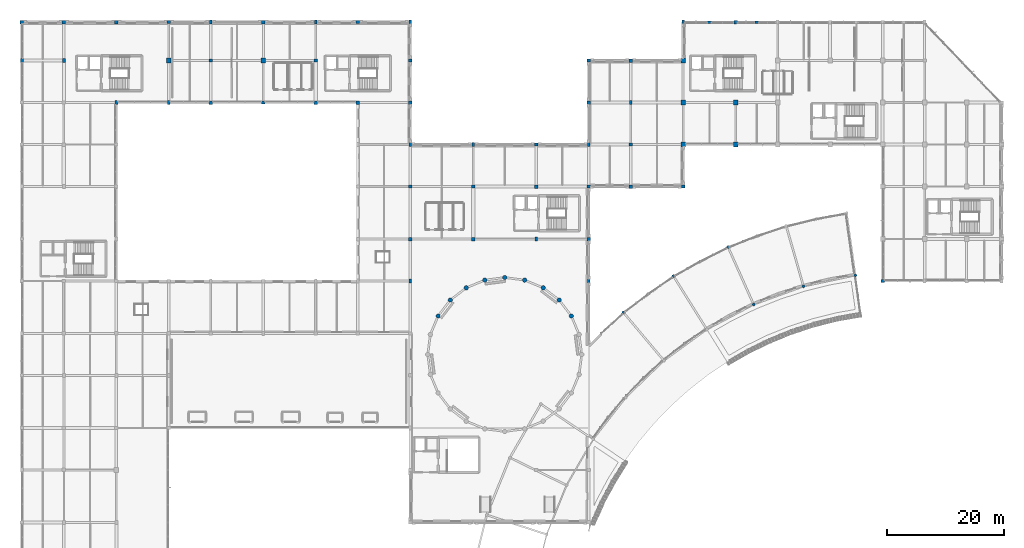
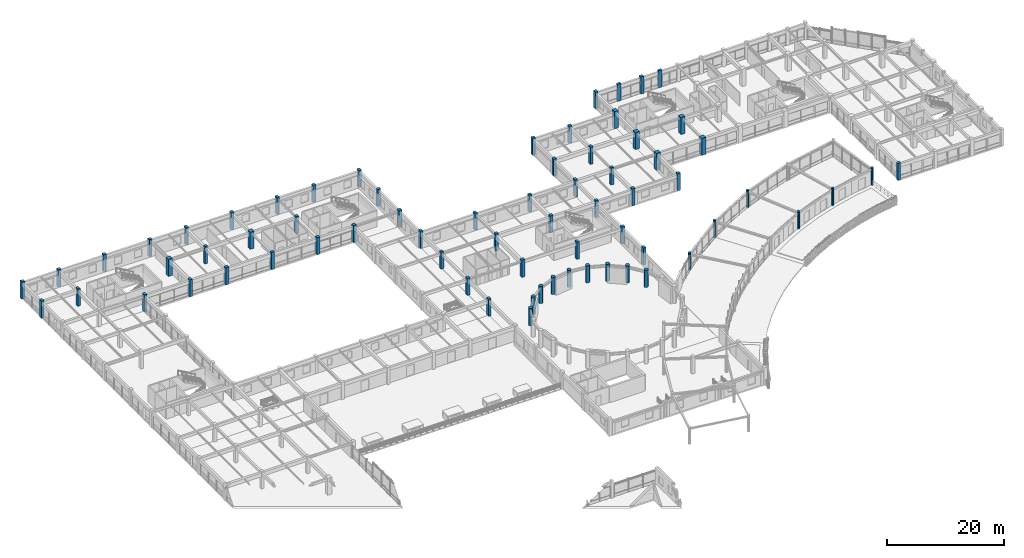
# One storey, part 2 of 74: 69 columns.
"""IFC4 building model written with IfcOpenShell, lengths in metres."""

import ifcopenshell
import ifcopenshell.guid

model = None  # the IFC model being written
_history = None  # IfcOwnerHistory: only IFC2X3 demands one
_inside = {}  # id of a spatial element -> (the spatial element, [elements in it])
_under = {}  # id of a project, library or spatial element -> (it, [spatial elements below it])
_declared = {}  # id of a project -> (the project, [libraries it declares])
_typed = {}  # id of a type object -> (the type object, [elements of that type])
_made_of = {}  # id of a material, layer set ... -> (it, [elements and type objects made of it])


def new_model(schema):
    """Start an empty IFC model of exactly this schema.

    Asked for "IFC4X3", IfcOpenShell would pick the latest addendum, in which some entities
    have other attributes; the version numbers below select the first issue.
    IFC2X3 requires an IfcOwnerHistory on every rooted entity: one is made here for all.
    """
    global model, _history
    if schema == "IFC4X3":
        model = ifcopenshell.file(schema_version=(4, 3, 0, 0))
    else:
        model = ifcopenshell.file(schema=schema)
    _inside.clear()
    _under.clear()
    _declared.clear()
    _typed.clear()
    _made_of.clear()
    _history = None
    if model.schema == "IFC2X3":
        org = make("IfcOrganization", Name="unknown")
        user = make(
            "IfcPersonAndOrganization",
            ThePerson=make("IfcPerson", FamilyName="unknown"),
            TheOrganization=org,
        )
        app = make(
            "IfcApplication",
            ApplicationDeveloper=org,
            Version="unknown",
            ApplicationFullName="unknown",
            ApplicationIdentifier="unknown",
        )
        _history = make(
            "IfcOwnerHistory",
            OwningUser=user,
            OwningApplication=app,
            ChangeAction="ADDED",
            CreationDate=0,
        )
    return model


def make(cls, **values):
    """One entity of the class cls with the attributes given. An attribute that is None is left unset."""
    return model.create_entity(
        cls, **{name: value for name, value in values.items() if value is not None}
    )


def rooted(cls, **values):
    """An entity with a GlobalId (a new one), such as an element, a storey or a relation."""
    return make(cls, GlobalId=ifcopenshell.guid.new(), OwnerHistory=_history, **values)


def si_unit(unit_type, name, prefix=None):
    """IfcSIUnit, for example si_unit("LENGTHUNIT", "METRE", prefix="MILLI")."""
    return make("IfcSIUnit", UnitType=unit_type, Prefix=prefix, Name=name)


def assignment(units):
    """IfcUnitAssignment: the units of a project."""
    return None if units is None else make("IfcUnitAssignment", Units=units)


def point(xyz):
    """IfcCartesianPoint."""
    return None if xyz is None else make("IfcCartesianPoint", Coordinates=xyz)


def direction(xyz):
    """IfcDirection."""
    return None if xyz is None else make("IfcDirection", DirectionRatios=xyz)


def frame(location, z_axis=None, x_axis=None):
    """IfcAxis2Placement3D, a coordinate frame: its origin and axes. An axis left out is left unset."""
    return make(
        "IfcAxis2Placement3D",
        Location=point(location),
        Axis=direction(z_axis),
        RefDirection=direction(x_axis),
    )


def frame_2d(location, x_axis=None):
    """IfcAxis2Placement2D, a coordinate frame in the plane: its origin and x axis."""
    return make(
        "IfcAxis2Placement2D", Location=point(location), RefDirection=direction(x_axis)
    )


def origin():
    """The frame at (0, 0, 0) with its axes left unset."""
    return frame((0.0, 0.0, 0.0))


def origin_2d():
    """The frame at (0, 0) in the plane with its x axis left unset."""
    return frame_2d((0.0, 0.0))


def place(relative_to, where):
    """IfcLocalPlacement: puts the frame where relative to a parent placement (None: the world)."""
    return make(
        "IfcLocalPlacement", PlacementRelTo=relative_to, RelativePlacement=where
    )


def context(
    kind, dimensions, precision=None, world=None, true_north=None, identifier=None
):
    """IfcGeometricRepresentationContext, for example the 3D "Model" context."""
    return make(
        "IfcGeometricRepresentationContext",
        ContextIdentifier=identifier,
        ContextType=kind,
        CoordinateSpaceDimension=dimensions,
        Precision=precision,
        WorldCoordinateSystem=world,
        TrueNorth=true_north,
    )


def subcontext(parent, identifier, kind, view, scale=None):
    """IfcGeometricRepresentationSubContext, for example "Body" below "Model"."""
    return make(
        "IfcGeometricRepresentationSubContext",
        ContextIdentifier=identifier,
        ContextType=kind,
        ParentContext=parent,
        TargetScale=scale,
        TargetView=view,
    )


def project(units=None, contexts=None):
    """IfcProject with its units and contexts."""
    return rooted(
        "IfcProject",
        Name="project",
        RepresentationContexts=contexts,
        UnitsInContext=assignment(units),
    )


def spatial(cls, under=None, at=None, **own):
    """A site, building, storey or space (cls), placed at a placement, below another one or the project."""
    s = rooted(cls, ObjectPlacement=at, **own)
    if under is not None:
        _under.setdefault(under.id(), (under, []))[1].append(s)
    return s


def profile(cls, at=None, kind="AREA", **sizes):
    """A parametric profile (cls). Its sizes go by their IFC names, for example OverallWidth=200.0."""
    return make(cls, ProfileType=kind, Position=at, **sizes)


def rectangle(**sizes):
    """IfcRectangleProfileDef."""
    return profile("IfcRectangleProfileDef", **sizes)


def circle(**sizes):
    """IfcCircleProfileDef."""
    return profile("IfcCircleProfileDef", **sizes)


def extrude(swept, where, along, depth):
    """IfcExtrudedAreaSolid: the profile swept, set in the frame where, extruded along a direction by depth."""
    return make(
        "IfcExtrudedAreaSolid",
        SweptArea=swept,
        Position=where,
        ExtrudedDirection=direction(along),
        Depth=depth,
    )


def shape(context_of_items, identifier, shape_type, items):
    """IfcShapeRepresentation: the items that make up one representation, for example the "Body"."""
    return make(
        "IfcShapeRepresentation",
        ContextOfItems=context_of_items,
        RepresentationIdentifier=identifier,
        RepresentationType=shape_type,
        Items=items,
    )


def material(Name=None, Category=None):
    """IfcMaterial."""
    return make("IfcMaterial", Name=Name, Category=Category)


def material_profile(
    of_material, cross_section, Name=None, Category=None, Priority=None
):
    """IfcMaterialProfile: a cross section and its material."""
    return make(
        "IfcMaterialProfile",
        Name=Name,
        Material=of_material,
        Profile=cross_section,
        Priority=Priority,
        Category=Category,
    )


def profile_set(profiles, Name=None, composite=None):
    """IfcMaterialProfileSet."""
    return make(
        "IfcMaterialProfileSet",
        Name=Name,
        MaterialProfiles=profiles,
        CompositeProfile=composite,
    )


def made_of(thing, what):
    """Note that an element or type object is made of a material, layer set ...; save() writes the relation."""
    if what is not None:
        _made_of.setdefault(what.id(), (what, []))[1].append(thing)
    return thing


def type_object(cls, material=None, **own):
    """A type object (cls), such as IfcWallType, which elements share."""
    return made_of(rooted(cls, **own), material)


def element(
    cls,
    number,
    at=None,
    inside=None,
    cuts=None,
    type_object=None,
    material=None,
    context=None,
    identifier="Body",
    shape_type=None,
    held_by="IfcProductDefinitionShape",
    body=None,
    shapes=None,
    **own,
):
    """One element of the class cls, such as IfcWall. Its Tag is "e" and its number.

    at: its placement. inside: the storey or other place that contains it. cuts: it is an
    opening in that element (IfcRelVoidsElement). A single representation is given by context,
    identifier, shape_type and body (its items); several are given by shapes. held_by: the class
    of the entity that holds the representations. save() writes the other relations.
    """
    e = rooted(cls, Tag="e%d" % number, ObjectPlacement=at, **own)
    if body is not None:
        shapes = [shape(context, identifier, shape_type, body)]
    if shapes is not None:
        e.Representation = make(held_by, Representations=shapes)
    if inside is not None:
        _inside.setdefault(inside.id(), (inside, []))[1].append(e)
    if cuts is not None:
        rooted(
            "IfcRelVoidsElement", RelatingBuildingElement=cuts, RelatedOpeningElement=e
        )
    if type_object is not None:
        _typed.setdefault(type_object.id(), (type_object, []))[1].append(e)
    return made_of(e, material)


def aggregate(whole, parts):
    """IfcRelAggregates: a whole, such as a stair, and the parts it consists of."""
    return rooted("IfcRelAggregates", RelatingObject=whole, RelatedObjects=parts)


def save(model, path):
    """Write the relations noted so far, then the file.

    IfcRelAggregates (storeys below a building ...), IfcRelContainedInSpatialStructure (elements
    in a storey), IfcRelDefinesByType, IfcRelAssociatesMaterial and IfcRelDeclares: one each for
    every whole, place, type object, material and project.
    """
    for whole, parts in _under.values():
        aggregate(whole, parts)
    for where, things in _inside.values():
        rooted(
            "IfcRelContainedInSpatialStructure",
            RelatedElements=things,
            RelatingStructure=where,
        )
    for kind, things in _typed.values():
        rooted("IfcRelDefinesByType", RelatedObjects=things, RelatingType=kind)
    for what, things in _made_of.values():
        rooted("IfcRelAssociatesMaterial", RelatedObjects=things, RelatingMaterial=what)
    for by, libraries in _declared.values():
        rooted("IfcRelDeclares", RelatingContext=by, RelatedDefinitions=libraries)
    model.write(path)


model = new_model("IFC4")

# Units and contexts
model_context = context("Model", 3, precision=1e-05, world=origin(), true_north=direction((0.0, 1.0)))
body_context = subcontext(model_context, "Body", "Model", "MODEL_VIEW")
ifc_project = project(units=[si_unit("LENGTHUNIT", "METRE"), si_unit("AREAUNIT", "SQUARE_METRE"), si_unit("VOLUMEUNIT", "CUBIC_METRE"), si_unit("PLANEANGLEUNIT", "RADIAN"), si_unit("MASSUNIT", "GRAM", prefix="KILO")], contexts=[model_context])

# Site, building, storey
site_placement = place(None, origin())
site = spatial("IfcSite", under=ifc_project, at=site_placement, CompositionType="ELEMENT")
building_placement = place(site_placement, origin())
building = spatial("IfcBuilding", under=site, at=building_placement, Name="Clarverna Civic Hall", CompositionType="ELEMENT")
storey_placement = place(building_placement, frame((0.0, 0.0, 9.60009765625)))
storey = spatial("IfcBuildingStorey", under=building, at=storey_placement, Name="L02", CompositionType="ELEMENT", Elevation=9.60009765625)

# Columns
ifc_material_1 = material(Name="Concrete C35/45", Category="concrete")
ifc_material_profile_1 = material_profile(ifc_material_1, circle(Radius=0.25, at=origin_2d()), Name="RC D500")
ifc_profile_set_1 = profile_set([ifc_material_profile_1], Name="Concrete C35/45")
column_type_1 = type_object("IfcColumnType", Name="C-CV3", PredefinedType="COLUMN", material=ifc_profile_set_1)
for number, where, z_axis, x_axis, name in (
    (1, (142.92578125, 72.5654296875, 0.0), (0.0, 0.0, 1.0), (1.0, 0.0, 0.0), "C-CV3-001"),
    (2, (134.0283203125, 70.67431640625, 0.0), (0.0, 0.0, 1.0), (1.0, 0.0, 0.0), "C-CV3-002"),
    (3, (125.480712890625, 67.563232421875, 0.0), (0.0, 0.0, 1.0), (1.0, 0.0, 0.0), "C-CV3-003"),
    (4, (121.087890625, 77.429443359375, 0.0), (0.0, 0.0, 1.0), (1.0, 0.0, 0.0), "C-CV3-013"),
    (5, (111.72607421875, 72.45166015625, 0.0), (0.0, 0.0, 1.0), (1.0, 0.0, 0.0), "C-CV3-014"),
    (6, (103.148193359375, 66.219482421875, 0.0), (0.0, 0.0, 1.0), (1.0, 0.0, 0.0), "C-CV3-015"),
):
    element("IfcColumn", number, at=place(storey_placement, frame(where, z_axis=z_axis, x_axis=x_axis)), inside=storey, type_object=column_type_1, Name=name, PredefinedType="COLUMN", context=body_context, shape_type="SweptSolid", body=[
        extrude(circle(Radius=0.25, at=origin_2d()), origin(), (0.0, 0.0, 1.0), 3.599853515625),
    ])
ifc_material_profile_2 = material_profile(ifc_material_1, circle(Radius=0.375, at=origin_2d()), Name="RC D750")
ifc_profile_set_2 = profile_set([ifc_material_profile_2], Name="Concrete C35/45")
column_type_2 = type_object("IfcColumnType", Name="C-DR2", PredefinedType="COLUMN", material=ifc_profile_set_2)
for number, where, z_axis, x_axis, name in (
    (7, (94.2314453125, 65.60009765625, 0.0), (0.0, 0.0, 1.0), (1.0, 0.0, 0.0), "C-DR2-006"),
    (8, (92.1337890625, 68.333740234375, 0.0), (0.0, 0.0, 1.0), (1.0, 0.0, 0.0), "C-DR2-008"),
    (9, (89.39990234375, 70.431396484375, 0.0), (0.0, 0.0, 1.0), (1.0, 0.0, 0.0), "C-DR2-010"),
    (10, (86.21630859375, 71.750244140625, 0.0), (0.0, 0.0, 1.0), (1.0, 0.0, 0.0), "C-DR2-012"),
    (11, (82.800048828125, 72.199951171875, 0.0), (0.0, 0.0, 1.0), (1.0, 0.0, 0.0), "C-DR2-014"),
    (12, (79.383544921875, 71.750244140625, 0.0), (0.0, 0.0, 1.0), (1.0, 0.0, 0.0), "C-DR2-016"),
    (13, (76.199951171875, 70.431396484375, 0.0), (0.0, 0.0, 1.0), (1.0, 0.0, 0.0), "C-DR2-018"),
    (14, (73.46630859375, 68.333740234375, 0.0), (0.0, 0.0, 1.0), (1.0, 0.0, 0.0), "C-DR2-020"),
    (15, (71.368408203125, 65.60009765625, 0.0), (0.0, 0.0, 1.0), (1.0, 0.0, 0.0), "C-DR2-022"),
):
    element("IfcColumn", number, at=place(storey_placement, frame(where, z_axis=z_axis, x_axis=x_axis)), inside=storey, type_object=column_type_2, Name=name, PredefinedType="COLUMN", context=body_context, shape_type="SweptSolid", body=[
        extrude(circle(Radius=0.375, at=origin_2d()), origin(), (0.0, 0.0, 1.0), 3.599853515625),
    ])
ifc_material_2 = material(Name="Precast concrete C40/50", Category="concrete")
ifc_material_profile_3 = material_profile(ifc_material_2, rectangle(XDim=0.64990234375, YDim=0.419921875, at=origin_2d()), Name="PILASTER 650x420")
ifc_profile_set_3 = profile_set([ifc_material_profile_3], Name="Precast concrete C40/50")
column_type_3 = type_object("IfcColumnType", Name="C-PL1", PredefinedType="PILASTER", material=ifc_profile_set_3)
for number, where, z_axis, x_axis, name in (
    (16, (117.89990234375, 116.0, 0.0), (0.0, 0.0, 1.0), (1.0, 0.0, 0.0), "C-PL1-004"),
    (17, (126.0, 116.0, 0.0), (0.0, 0.0, 1.0), (1.0, 0.0, 0.0), "C-PL1-011"),
):
    element("IfcColumn", number, at=place(storey_placement, frame(where, z_axis=z_axis, x_axis=x_axis)), inside=storey, type_object=column_type_3, Name=name, PredefinedType="PILASTER", context=body_context, shape_type="SweptSolid", body=[
        extrude(rectangle(XDim=0.64990234375, YDim=0.419921875, at=origin_2d()), origin(), (0.0, 0.0, 1.0), 3.599853515625),
    ])
ifc_material_profile_4 = material_profile(ifc_material_1, rectangle(XDim=0.60009765625, YDim=0.60009765625, at=origin_2d()), Name="RC 600x600")
ifc_profile_set_4 = profile_set([ifc_material_profile_4], Name="Concrete C35/45")
column_type_4 = type_object("IfcColumnType", Name="C-RC10", PredefinedType="COLUMN", material=ifc_profile_set_4)
for number, where, z_axis, x_axis, name in (
    (18, (0.0, 116.0, 0.0), (0.0, 0.0, 1.0), (1.0, 0.0, 0.0), "C-RC10-006"),
    (19, (7.199951171875, 116.0, 0.0), (0.0, 0.0, 1.0), (1.0, 0.0, 0.0), "C-RC10-011"),
    (20, (16.199951171875, 116.0, 0.0), (0.0, 0.0, 1.0), (1.0, 0.0, 0.0), "C-RC10-015"),
    (21, (32.39990234375, 102.199951171875, 0.0), (0.0, 0.0, 1.0), (1.0, 0.0, 0.0), "C-RC10-019"),
    (22, (41.39990234375, 116.0, 0.0), (0.0, 0.0, 1.0), (1.0, 0.0, 0.0), "C-RC10-022"),
    (23, (50.39990234375, 102.199951171875, 0.0), (0.0, 0.0, 1.0), (1.0, 0.0, 0.0), "C-RC10-024"),
    (24, (57.60009765625, 102.199951171875, 0.0), (0.0, 0.0, 1.0), (1.0, 0.0, 0.0), "C-RC10-027"),
    (25, (66.60009765625, 78.800048828125, 0.0), (0.0, 0.0, 1.0), (1.0, 0.0, 0.0), "C-RC10-030"),
    (26, (66.60009765625, 102.199951171875, 0.0), (0.0, 0.0, 1.0), (1.0, 0.0, 0.0), "C-RC10-031"),
    (27, (77.39990234375, 78.800048828125, 0.0), (0.0, 0.0, 1.0), (1.0, 0.0, 0.0), "C-RC10-032"),
    (28, (88.199951171875, 87.800048828125, 0.0), (0.0, 0.0, 1.0), (1.0, 0.0, 0.0), "C-RC10-033"),
    (29, (97.199951171875, 78.800048828125, 0.0), (0.0, 0.0, 1.0), (1.0, 0.0, 0.0), "C-RC10-035"),
    (30, (97.199951171875, 102.199951171875, 0.0), (0.0, 0.0, 1.0), (1.0, 0.0, 0.0), "C-RC10-036"),
    (31, (104.39990234375, 87.800048828125, 0.0), (0.0, 0.0, 1.0), (1.0, 0.0, 0.0), "C-RC10-037"),
    (32, (104.39990234375, 109.39990234375, 0.0), (0.0, 0.0, 1.0), (1.0, 0.0, 0.0), "C-RC10-038"),
    (33, (122.39990234375, 116.0, 0.0), (0.0, 0.0, 1.0), (1.0, 0.0, 0.0), "C-RC10-044"),
):
    element("IfcColumn", number, at=place(storey_placement, frame(where, z_axis=z_axis, x_axis=x_axis)), inside=storey, type_object=column_type_4, Name=name, PredefinedType="COLUMN", context=body_context, shape_type="SweptSolid", body=[
        extrude(rectangle(XDim=0.60009765625, YDim=0.60009765625, at=origin_2d()), origin(), (0.0, 0.0, 1.0), 3.599853515625),
    ])
ifc_material_profile_5 = material_profile(ifc_material_1, rectangle(XDim=0.550048828125, YDim=0.550048828125, at=origin_2d()), Name="RC 550x550")
ifc_profile_set_5 = profile_set([ifc_material_profile_5], Name="Concrete C35/45")
column_type_5 = type_object("IfcColumnType", Name="C-RC11", PredefinedType="COLUMN", material=ifc_profile_set_5)
for number, where, z_axis, x_axis, name in (
    (34, (25.199951171875, 116.0, 0.0), (0.0, 0.0, 1.0), (1.0, 0.0, 0.0), "C-RC11-018"),
    (35, (32.39990234375, 109.39990234375, 0.0), (0.0, 0.0, 1.0), (1.0, 0.0, 0.0), "C-RC11-021"),
    (36, (41.39990234375, 102.199951171875, 0.0), (0.0, 0.0, 1.0), (1.0, 0.0, 0.0), "C-RC11-022"),
    (37, (50.39990234375, 109.39990234375, 0.0), (0.0, 0.0, 1.0), (1.0, 0.0, 0.0), "C-RC11-025"),
    (38, (57.60009765625, 116.0, 0.0), (0.0, 0.0, 1.0), (1.0, 0.0, 0.0), "C-RC11-029"),
    (39, (66.60009765625, 87.800048828125, 0.0), (0.0, 0.0, 1.0), (1.0, 0.0, 0.0), "C-RC11-032"),
    (40, (66.60009765625, 109.39990234375, 0.0), (0.0, 0.0, 1.0), (1.0, 0.0, 0.0), "C-RC11-033"),
    (41, (77.39990234375, 87.800048828125, 0.0), (0.0, 0.0, 1.0), (1.0, 0.0, 0.0), "C-RC11-034"),
    (42, (88.199951171875, 95.0, 0.0), (0.0, 0.0, 1.0), (1.0, 0.0, 0.0), "C-RC11-036"),
    (43, (97.199951171875, 87.800048828125, 0.0), (0.0, 0.0, 1.0), (1.0, 0.0, 0.0), "C-RC11-038"),
    (44, (97.199951171875, 109.39990234375, 0.0), (0.0, 0.0, 1.0), (1.0, 0.0, 0.0), "C-RC11-039"),
    (45, (104.39990234375, 95.0, 0.0), (0.0, 0.0, 1.0), (1.0, 0.0, 0.0), "C-RC11-040"),
    (46, (113.39990234375, 87.800048828125, 0.0), (0.0, 0.0, 1.0), (1.0, 0.0, 0.0), "C-RC11-041"),
    (47, (147.60009765625, 71.60009765625, 0.0), (0.0, 0.0, 1.0), (1.0, 0.0, 0.0), "C-RC11-047"),
):
    element("IfcColumn", number, at=place(storey_placement, frame(where, z_axis=z_axis, x_axis=x_axis)), inside=storey, type_object=column_type_5, Name=name, PredefinedType="COLUMN", context=body_context, shape_type="SweptSolid", body=[
        extrude(rectangle(XDim=0.550048828125, YDim=0.550048828125, at=origin_2d()), origin(), (0.0, 0.0, 1.0), 3.599853515625),
    ])
ifc_material_profile_6 = material_profile(ifc_material_1, rectangle(XDim=0.5, YDim=0.699951171875, at=origin_2d()), Name="RC 500x700")
ifc_profile_set_6 = profile_set([ifc_material_profile_6], Name="Concrete C35/45")
column_type_6 = type_object("IfcColumnType", Name="C-RC17", PredefinedType="COLUMN", material=ifc_profile_set_6)
for number, where, z_axis, x_axis, name in (
    (48, (0.0, 109.39990234375, 0.0), (0.0, 0.0, 1.0), (1.0, 0.0, 0.0), "C-RC17-005"),
    (49, (7.199951171875, 109.39990234375, 0.0), (0.0, 0.0, 1.0), (1.0, 0.0, 0.0), "C-RC17-010"),
    (50, (16.199951171875, 102.199951171875, 0.0), (0.0, 0.0, 1.0), (1.0, 0.0, 0.0), "C-RC17-015"),
    (51, (25.199951171875, 102.199951171875, 0.0), (0.0, 0.0, 1.0), (1.0, 0.0, 0.0), "C-RC17-017"),
    (52, (32.39990234375, 116.0, 0.0), (0.0, 0.0, 1.0), (1.0, 0.0, 0.0), "C-RC17-020"),
    (53, (50.39990234375, 116.0, 0.0), (0.0, 0.0, 1.0), (1.0, 0.0, 0.0), "C-RC17-025"),
    (54, (66.60009765625, 71.60009765625, 0.0), (0.0, 0.0, 1.0), (1.0, 0.0, 0.0), "C-RC17-029"),
    (55, (66.60009765625, 95.0, 0.0), (0.0, 0.0, 1.0), (1.0, 0.0, 0.0), "C-RC17-030"),
    (56, (66.60009765625, 116.0, 0.0), (0.0, 0.0, 1.0), (1.0, 0.0, 0.0), "C-RC17-031"),
    (57, (77.39990234375, 95.0, 0.0), (0.0, 0.0, 1.0), (1.0, 0.0, 0.0), "C-RC17-032"),
    (58, (88.199951171875, 78.800048828125, 0.0), (0.0, 0.0, 1.0), (1.0, 0.0, 0.0), "C-RC17-033"),
    (59, (97.199951171875, 71.60009765625, 0.0), (0.0, 0.0, 1.0), (1.0, 0.0, 0.0), "C-RC17-034"),
    (60, (97.199951171875, 95.0, 0.0), (0.0, 0.0, 1.0), (1.0, 0.0, 0.0), "C-RC17-035"),
    (61, (104.39990234375, 102.199951171875, 0.0), (0.0, 0.0, 1.0), (1.0, 0.0, 0.0), "C-RC17-036"),
    (62, (113.39990234375, 116.0, 0.0), (0.0, 0.0, 1.0), (1.0, 0.0, 0.0), "C-RC17-037"),
):
    element("IfcColumn", number, at=place(storey_placement, frame(where, z_axis=z_axis, x_axis=x_axis)), inside=storey, type_object=column_type_6, Name=name, PredefinedType="COLUMN", context=body_context, shape_type="SweptSolid", body=[
        extrude(rectangle(XDim=0.5, YDim=0.699951171875, at=origin_2d()), origin(), (0.0, 0.0, 1.0), 3.599853515625),
    ])
ifc_material_3 = material(Name="Concrete C40/50", Category="concrete")
ifc_material_profile_7 = material_profile(ifc_material_3, rectangle(XDim=0.800048828125, YDim=0.800048828125, at=origin_2d()), Name="RC 800x800")
ifc_profile_set_7 = profile_set([ifc_material_profile_7], Name="Concrete C40/50")
column_type_7 = type_object("IfcColumnType", Name="C-RC4", PredefinedType="COLUMN", material=ifc_profile_set_7)
for number, where, z_axis, x_axis, name in (
    (63, (25.199951171875, 109.39990234375, 0.0), (0.0, 0.0, 1.0), (1.0, 0.0, 0.0), "C-RC4-021"),
    (64, (41.39990234375, 109.39990234375, 0.0), (0.0, 0.0, 1.0), (1.0, 0.0, 0.0), "C-RC4-029"),
    (65, (113.39990234375, 95.0, 0.0), (0.0, 0.0, 1.0), (1.0, 0.0, 0.0), "C-RC4-052"),
    (66, (113.39990234375, 102.199951171875, 0.0), (0.0, 0.0, 1.0), (1.0, 0.0, 0.0), "C-RC4-053"),
    (67, (113.39990234375, 109.39990234375, 0.0), (0.0, 0.0, 1.0), (1.0, 0.0, 0.0), "C-RC4-054"),
    (68, (122.39990234375, 95.0, 0.0), (0.0, 0.0, 1.0), (1.0, 0.0, 0.0), "C-RC4-058"),
    (69, (122.39990234375, 102.199951171875, 0.0), (0.0, 0.0, 1.0), (1.0, 0.0, 0.0), "C-RC4-059"),
):
    element("IfcColumn", number, at=place(storey_placement, frame(where, z_axis=z_axis, x_axis=x_axis)), inside=storey, type_object=column_type_7, Name=name, PredefinedType="COLUMN", context=body_context, shape_type="SweptSolid", body=[
        extrude(rectangle(XDim=0.800048828125, YDim=0.800048828125, at=origin_2d()), origin(), (0.0, 0.0, 1.0), 3.599853515625),
    ])

save(model, "model.ifc")
